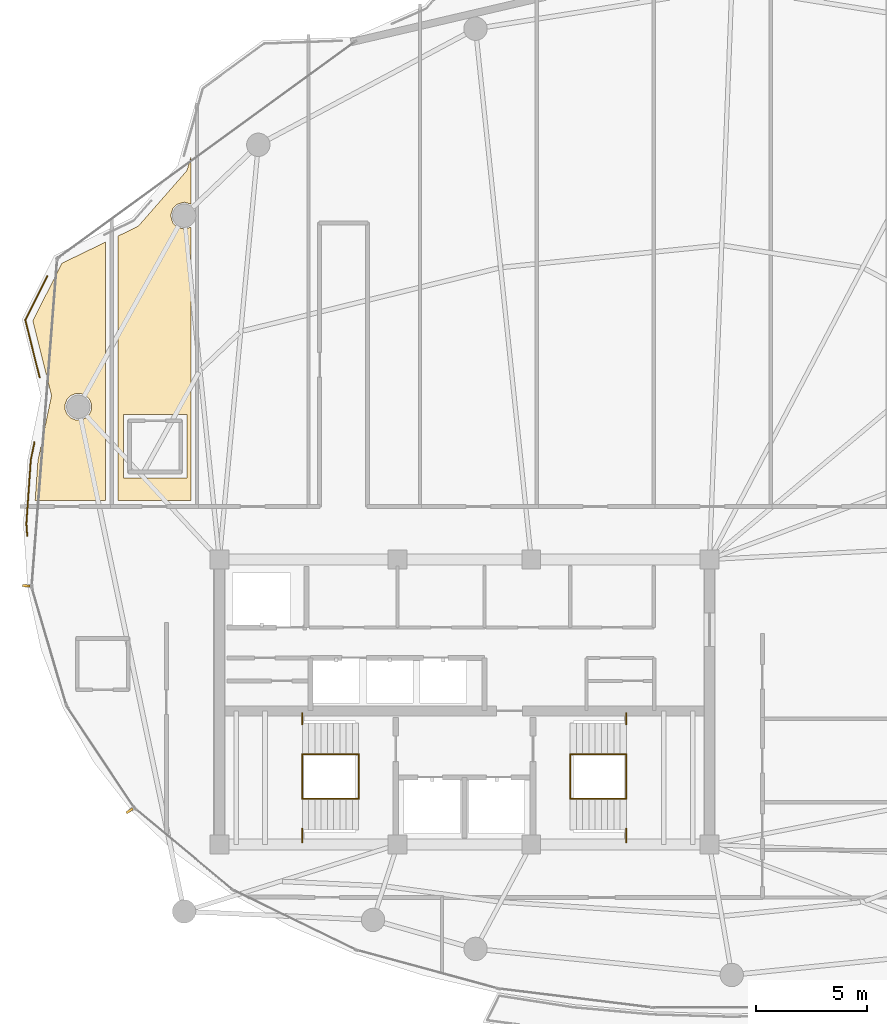
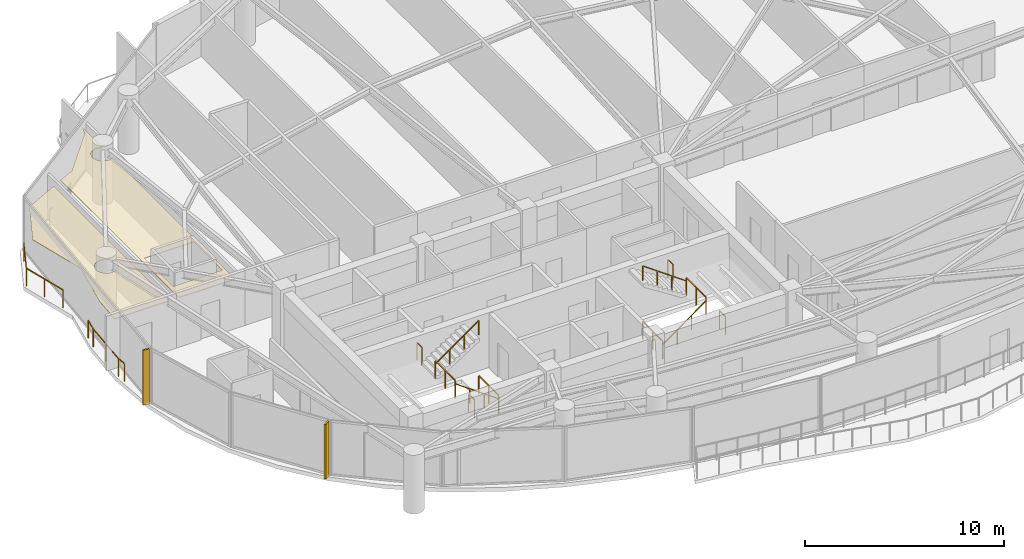
# One storey, part 29 of 31: 14 railings, 2 coverings, 2 shading devices.
"""IFC4 building model written with IfcOpenShell, lengths in metres."""

from ifc_helpers import new_model, si_unit, direction, frame, origin, origin_2d, place, context, subcontext, project, spatial, polyline, rectangle, outline, extrude, material, layer, layer_set, type_object, element, save


model = new_model("IFC4")

# Units and contexts
model_context = context("Model", 3, precision=1e-05, world=origin(), true_north=direction((0.0, 1.0)))
body_context = subcontext(model_context, "Body", "Model", "MODEL_VIEW")
ifc_project = project(units=[si_unit("LENGTHUNIT", "METRE"), si_unit("AREAUNIT", "SQUARE_METRE"), si_unit("VOLUMEUNIT", "CUBIC_METRE"), si_unit("PLANEANGLEUNIT", "RADIAN"), si_unit("MASSUNIT", "GRAM", prefix="KILO")], contexts=[model_context])

# Site, building, storey
site_placement = place(None, origin())
site = spatial("IfcSite", under=ifc_project, at=site_placement, CompositionType="ELEMENT")
building_placement = place(site_placement, origin())
building = spatial("IfcBuilding", under=site, at=building_placement, Name="Kazevale Care Tower and Concert Hall", CompositionType="ELEMENT")
storey_placement = place(building_placement, frame((0.0, 0.0, 202.800048828125)))
storey = spatial("IfcBuildingStorey", under=building, at=storey_placement, Name="L53", CompositionType="ELEMENT", Elevation=202.800048828125)

# Coverings
ifc_material_1 = material(Name="Acoustic Plaster and Hinoki Wood", Category="wood")
ifc_layer = layer(ifc_material_1, 0.0400390625)
ifc_layer_set = layer_set([ifc_layer], Name="Acoustic Plaster and Hinoki Wood")
covering_type = type_object("IfcCoveringType", Name="Acoustic Perforated Wood-Gypsum Ceiling", PredefinedType="CEILING", material=ifc_layer_set)
covering_1_placement = place(storey_placement, frame((0.0, 0.0, 2.7099609375)))
element("IfcCovering", 1, at=covering_1_placement, inside=storey, type_object=covering_type, Name="clg:L53:1", PredefinedType="CEILING", context=body_context, shape_type="SweptSolid", body=[
    extrude(outline(polyline([(13.632080078125, 47.111083984375), (14.93310546875, 49.694091796875), (16.889892578125, 50.64208984375), (16.889892578125, 39.054931640625), (13.73388671875, 39.054931640625), (13.85693359375, 40.824951171875), (14.468994140625, 43.75), (13.632080078125, 47.111083984375)]), holes=[polyline([(16.262939453125, 43.367919921875), (16.173095703125, 43.5859375), (16.006103515625, 43.7529296875), (15.7880859375, 43.843017578125), (15.552001953125, 43.843017578125), (15.333984375, 43.7529296875), (15.1669921875, 43.5859375), (15.076904296875, 43.367919921875), (15.076904296875, 43.132080078125), (15.1669921875, 42.9140625), (15.333984375, 42.7470703125), (15.552001953125, 42.656982421875), (15.7880859375, 42.656982421875), (16.006103515625, 42.7470703125), (16.173095703125, 42.9140625), (16.262939453125, 43.132080078125), (16.262939453125, 43.367919921875)])]), origin(), (0.0, 0.0, 1.0), 0.0400390625),
])
covering_2_placement = place(storey_placement, frame((0.0, 0.0, 2.7099609375)))
element("IfcCovering", 2, at=covering_2_placement, inside=storey, type_object=covering_type, Name="clg:L53:2", PredefinedType="CEILING", context=body_context, shape_type="SweptSolid", body=[
    extrude(outline(polyline([(17.449951171875, 39.054931640625), (17.449951171875, 50.9130859375), (18.35888671875, 51.35302734375), (20.552001953125, 53.861083984375), (20.719970703125, 54.4560546875), (20.719970703125, 52.35205078125), (20.419921875, 52.43505859375), (20.083984375, 52.3330078125), (19.9169921875, 52.166015625), (19.81494140625, 51.830078125), (19.9169921875, 51.493896484375), (20.083984375, 51.326904296875), (20.419921875, 51.22509765625), (20.719970703125, 51.30810546875), (20.719970703125, 39.054931640625), (17.449951171875, 39.054931640625)]), holes=[polyline([(17.68994140625, 42.905029296875), (17.68994140625, 40.044921875), (20.550048828125, 40.044921875), (20.550048828125, 42.905029296875), (17.68994140625, 42.905029296875)])]), origin(), (0.0, 0.0, 1.0), 0.0400390625),
])

# Railings
ifc_material_2 = material(Name="Anodised Bronze Aluminium and Laminated Glass", Category="aluminium")
railing_type_1 = type_object("IfcRailingType", Name="Balcony and Terrace Balustrade 1120", PredefinedType="BALUSTRADE", material=ifc_material_2)
railing_1_placement = place(storey_placement, frame((13.3779296875, 37.467041015625, 0.0)))
element("IfcRailing", 3, at=railing_1_placement, inside=storey, type_object=railing_type_1, Name="rail:L53:perim:1", PredefinedType="BALUSTRADE", context=body_context, shape_type="SweptSolid", body=[
    extrude(rectangle(XDim=0.048095703125, YDim=0.048095703125, at=origin_2d()), frame((0.0, 0.0, 1.09619140625), z_axis=(-0.070824900757, 0.997488763562, 0.0), x_axis=(-0.997488763562, -0.070824900757, 0.0)), (0.0, 0.0, 1.0), 0.5341796875),
    extrude(rectangle(XDim=0.048095703125, YDim=0.048095703125, at=origin_2d()), frame((-0.037841796875, 0.532958984375, 1.09619140625), z_axis=(0.069189590327, 0.997603528758, 0.0), x_axis=(-0.997603528758, 0.069189590327, 0.0)), (0.0, 0.0, 1.0), 2.875732421875),
    extrude(rectangle(XDim=0.048095703125, YDim=0.048095703125, at=origin_2d()), frame((0.1611328125, 3.40185546875, 1.09619140625), z_axis=(0.204489697566, 0.978868716218, 0.0), x_axis=(-0.978868716218, 0.204489697566, 0.0)), (0.0, 0.0, 1.0), 0.801025390625),
    extrude(rectangle(XDim=0.0419921875, YDim=0.0419921875, at=origin_2d()), origin(), (0.0, 0.0, 1.0), 1.072021484375),
    extrude(rectangle(XDim=0.0419921875, YDim=0.0419921875, at=origin_2d()), frame((-0.037841796875, 0.532958984375, 0.0)), (0.0, 0.0, 1.0), 1.072021484375),
    extrude(rectangle(XDim=0.0419921875, YDim=0.0419921875, at=origin_2d()), frame((0.0615234375, 1.96728515625, 0.0)), (0.0, 0.0, 1.0), 1.072021484375),
    extrude(rectangle(XDim=0.0419921875, YDim=0.0419921875, at=origin_2d()), frame((0.1611328125, 3.40185546875, 0.0)), (0.0, 0.0, 1.0), 1.072021484375),
    extrude(rectangle(XDim=0.0419921875, YDim=0.0419921875, at=origin_2d()), frame((0.324951171875, 4.18603515625, 0.0)), (0.0, 0.0, 1.0), 1.072021484375),
])
railing_2_placement = place(storey_placement, frame((13.930908203125, 44.5849609375, 0.0)))
element("IfcRailing", 4, at=railing_2_placement, inside=storey, type_object=railing_type_1, Name="rail:L53:perim:2", PredefinedType="BALUSTRADE", context=body_context, shape_type="SweptSolid", body=[
    extrude(rectangle(XDim=0.048095703125, YDim=0.048095703125, at=origin_2d()), frame((0.0, 0.0, 1.09619140625), z_axis=(-0.241796398664, 0.970327007556, 0.0), x_axis=(-0.970327007556, -0.241796398664, 0.0)), (0.0, 0.0, 1.0), 2.642333984375),
    extrude(rectangle(XDim=0.048095703125, YDim=0.048095703125, at=origin_2d()), frame((-0.638916015625, 2.56396484375, 1.09619140625), z_axis=(0.450269666924, 0.892892617871, 0.0), x_axis=(-0.892892617871, 0.450269666924, 0.0)), (0.0, 0.0, 1.0), 2.202880859375),
    extrude(rectangle(XDim=0.0419921875, YDim=0.0419921875, at=origin_2d()), origin(), (0.0, 0.0, 1.0), 1.072021484375),
    extrude(rectangle(XDim=0.0419921875, YDim=0.0419921875, at=origin_2d()), frame((-0.3193359375, 1.281982421875, 0.0)), (0.0, 0.0, 1.0), 1.072021484375),
    extrude(rectangle(XDim=0.0419921875, YDim=0.0419921875, at=origin_2d()), frame((-0.638916015625, 2.56396484375, 0.0)), (0.0, 0.0, 1.0), 1.072021484375),
    extrude(rectangle(XDim=0.0419921875, YDim=0.0419921875, at=origin_2d()), frame((0.35302734375, 4.531005859375, 0.0)), (0.0, 0.0, 1.0), 1.072021484375),
])
ifc_material_3 = material(Name="Stainless Steel 316", Category="steel")
railing_type_2 = type_object("IfcRailingType", Name="Stair Pitch Handrail 920", PredefinedType="HANDRAIL", material=ifc_material_3)
railing_3_placement = place(storey_placement, frame((28.25, 25.64990234375, 0.0)))
element("IfcRailing", 5, at=railing_3_placement, inside=storey, type_object=railing_type_2, Name="stair:L53:ST1:hr1", PredefinedType="HANDRAIL", context=body_context, shape_type="SweptSolid", body=[
    extrude(rectangle(XDim=0.048095703125, YDim=0.048095703125, at=origin_2d()), frame((0.0, 0.0, 0.89599609375), z_axis=(-0.813728144527, 0.0, 0.581245650998), x_axis=(0.0, -1.0, 0.0)), (0.0, 0.0, 1.0), 3.096923828125),
    extrude(rectangle(XDim=0.0419921875, YDim=0.0419921875, at=origin_2d()), origin(), (0.0, 0.0, 1.0), 0.871826171875),
    extrude(rectangle(XDim=0.0419921875, YDim=0.0419921875, at=origin_2d()), frame((-0.840087890625, 0.0, 0.60009765625)), (0.0, 0.0, 1.0), 0.871826171875),
    extrude(rectangle(XDim=0.0419921875, YDim=0.0419921875, at=origin_2d()), frame((-1.679931640625, 0.0, 1.199951171875)), (0.0, 0.0, 1.0), 0.871826171875),
    extrude(rectangle(XDim=0.0419921875, YDim=0.0419921875, at=origin_2d()), frame((-2.52001953125, 0.0, 1.800048828125)), (0.0, 0.0, 1.0), 0.871826171875),
])
railing_4_placement = place(storey_placement, frame((25.72998046875, 27.64990234375, 1.800048828125)))
element("IfcRailing", 6, at=railing_4_placement, inside=storey, type_object=railing_type_2, Name="stair:L53:ST1:hr2", PredefinedType="HANDRAIL", context=body_context, shape_type="SweptSolid", body=[
    extrude(rectangle(XDim=0.048095703125, YDim=0.048095703125, at=origin_2d()), frame((0.0, 0.0, 0.89599609375), z_axis=(0.813765431312, 0.0, 0.581193446971), x_axis=(0.0, 1.0, 0.0)), (0.0, 0.0, 1.0), 3.0966796875),
    extrude(rectangle(XDim=0.0419921875, YDim=0.0419921875, at=origin_2d()), origin(), (0.0, 0.0, 1.0), 0.871826171875),
    extrude(rectangle(XDim=0.0419921875, YDim=0.0419921875, at=origin_2d()), frame((0.840087890625, 0.0, 0.599853515625)), (0.0, 0.0, 1.0), 0.871826171875),
    extrude(rectangle(XDim=0.0419921875, YDim=0.0419921875, at=origin_2d()), frame((1.679931640625, 0.0, 1.199951171875)), (0.0, 0.0, 1.0), 0.871826171875),
    extrude(rectangle(XDim=0.0419921875, YDim=0.0419921875, at=origin_2d()), frame((2.52001953125, 0.0, 1.7998046875)), (0.0, 0.0, 1.0), 0.871826171875),
])
railing_5_placement = place(storey_placement, frame((37.75, 25.64990234375, 0.0)))
element("IfcRailing", 7, at=railing_5_placement, inside=storey, type_object=railing_type_2, Name="stair:L53:ST2:hr1", PredefinedType="HANDRAIL", context=body_context, shape_type="SweptSolid", body=[
    extrude(rectangle(XDim=0.048095703125, YDim=0.048095703125, at=origin_2d()), frame((0.0, 0.0, 0.89599609375), z_axis=(0.813728144527, 0.0, 0.581245650998), x_axis=(0.0, 1.0, 0.0)), (0.0, 0.0, 1.0), 3.096923828125),
    extrude(rectangle(XDim=0.0419921875, YDim=0.0419921875, at=origin_2d()), origin(), (0.0, 0.0, 1.0), 0.871826171875),
    extrude(rectangle(XDim=0.0419921875, YDim=0.0419921875, at=origin_2d()), frame((0.840087890625, 0.0, 0.60009765625)), (0.0, 0.0, 1.0), 0.871826171875),
    extrude(rectangle(XDim=0.0419921875, YDim=0.0419921875, at=origin_2d()), frame((1.679931640625, 0.0, 1.199951171875)), (0.0, 0.0, 1.0), 0.871826171875),
    extrude(rectangle(XDim=0.0419921875, YDim=0.0419921875, at=origin_2d()), frame((2.52001953125, 0.0, 1.800048828125)), (0.0, 0.0, 1.0), 0.871826171875),
])
railing_6_placement = place(storey_placement, frame((40.27001953125, 27.64990234375, 1.800048828125)))
element("IfcRailing", 8, at=railing_6_placement, inside=storey, type_object=railing_type_2, Name="stair:L53:ST2:hr2", PredefinedType="HANDRAIL", context=body_context, shape_type="SweptSolid", body=[
    extrude(rectangle(XDim=0.048095703125, YDim=0.048095703125, at=origin_2d()), frame((0.0, 0.0, 0.89599609375), z_axis=(-0.813765431312, 0.0, 0.581193446971), x_axis=(0.0, -1.0, 0.0)), (0.0, 0.0, 1.0), 3.0966796875),
    extrude(rectangle(XDim=0.0419921875, YDim=0.0419921875, at=origin_2d()), origin(), (0.0, 0.0, 1.0), 0.871826171875),
    extrude(rectangle(XDim=0.0419921875, YDim=0.0419921875, at=origin_2d()), frame((-0.840087890625, 0.0, 0.599853515625)), (0.0, 0.0, 1.0), 0.871826171875),
    extrude(rectangle(XDim=0.0419921875, YDim=0.0419921875, at=origin_2d()), frame((-1.679931640625, 0.0, 1.199951171875)), (0.0, 0.0, 1.0), 0.871826171875),
    extrude(rectangle(XDim=0.0419921875, YDim=0.0419921875, at=origin_2d()), frame((-2.52001953125, 0.0, 1.7998046875)), (0.0, 0.0, 1.0), 0.871826171875),
])
railing_type_3 = type_object("IfcRailingType", Name="Stair Well Guard Balustrade 1120", PredefinedType="BALUSTRADE", material=ifc_material_3)
railing_7_placement = place(storey_placement, frame((25.72998046875, 23.699951171875, 1.800048828125)))
element("IfcRailing", 9, at=railing_7_placement, inside=storey, type_object=railing_type_3, Name="stair:L53:ST1:grd_side1", PredefinedType="BALUSTRADE", context=body_context, shape_type="SweptSolid", body=[
    extrude(rectangle(XDim=0.048095703125, YDim=0.048095703125, at=origin_2d()), frame((0.0, 0.0, 1.09619140625), z_axis=(0.0, 1.0, 0.0), x_axis=(-1.0, 0.0, 0.0)), (0.0, 0.0, 1.0), 0.610107421875),
    extrude(rectangle(XDim=0.0419921875, YDim=0.0419921875, at=origin_2d()), origin(), (0.0, 0.0, 1.0), 1.072021484375),
    extrude(rectangle(XDim=0.0419921875, YDim=0.0419921875, at=origin_2d()), frame((0.0, 0.610107421875, 0.0)), (0.0, 0.0, 1.0), 1.072021484375),
])
railing_8_placement = place(storey_placement, frame((25.72998046875, 28.989990234375, 1.800048828125)))
element("IfcRailing", 10, at=railing_8_placement, inside=storey, type_object=railing_type_3, Name="stair:L53:ST1:grd_side2", PredefinedType="BALUSTRADE", context=body_context, shape_type="SweptSolid", body=[
    extrude(rectangle(XDim=0.048095703125, YDim=0.048095703125, at=origin_2d()), frame((0.0, 0.0, 1.09619140625), z_axis=(0.0, 1.0, 0.0), x_axis=(-1.0, 0.0, 0.0)), (0.0, 0.0, 1.0), 0.510009765625),
    extrude(rectangle(XDim=0.0419921875, YDim=0.0419921875, at=origin_2d()), origin(), (0.0, 0.0, 1.0), 1.072021484375),
    extrude(rectangle(XDim=0.0419921875, YDim=0.0419921875, at=origin_2d()), frame((0.0, 0.510009765625, 0.0)), (0.0, 0.0, 1.0), 1.072021484375),
])
for number, where, name in (
    (11, (25.72998046875, 25.64990234375, 1.800048828125), "stair:L53:ST1:grd_mid"),
    (12, (28.25, 25.64990234375, 0.0), "stair:L53:ST1:grd_flr"),
):
    element("IfcRailing", number, at=place(storey_placement, frame(where)), inside=storey, type_object=railing_type_3, Name=name, PredefinedType="BALUSTRADE", context=body_context, shape_type="SweptSolid", body=[
        extrude(rectangle(XDim=0.048095703125, YDim=0.048095703125, at=origin_2d()), frame((0.0, 0.0, 1.09619140625), z_axis=(0.0, 1.0, 0.0), x_axis=(-1.0, 0.0, 0.0)), (0.0, 0.0, 1.0), 2.0),
        extrude(rectangle(XDim=0.0419921875, YDim=0.0419921875, at=origin_2d()), origin(), (0.0, 0.0, 1.0), 1.072021484375),
        extrude(rectangle(XDim=0.0419921875, YDim=0.0419921875, at=origin_2d()), frame((0.0, 1.0, 0.0)), (0.0, 0.0, 1.0), 1.072021484375),
        extrude(rectangle(XDim=0.0419921875, YDim=0.0419921875, at=origin_2d()), frame((0.0, 2.0, 0.0)), (0.0, 0.0, 1.0), 1.072021484375),
    ])
railing_9_placement = place(storey_placement, frame((40.27001953125, 23.699951171875, 1.800048828125)))
element("IfcRailing", 13, at=railing_9_placement, inside=storey, type_object=railing_type_3, Name="stair:L53:ST2:grd_side1", PredefinedType="BALUSTRADE", context=body_context, shape_type="SweptSolid", body=[
    extrude(rectangle(XDim=0.048095703125, YDim=0.048095703125, at=origin_2d()), frame((0.0, 0.0, 1.09619140625), z_axis=(0.0, 1.0, 0.0), x_axis=(-1.0, 0.0, 0.0)), (0.0, 0.0, 1.0), 0.610107421875),
    extrude(rectangle(XDim=0.0419921875, YDim=0.0419921875, at=origin_2d()), origin(), (0.0, 0.0, 1.0), 1.072021484375),
    extrude(rectangle(XDim=0.0419921875, YDim=0.0419921875, at=origin_2d()), frame((0.0, 0.610107421875, 0.0)), (0.0, 0.0, 1.0), 1.072021484375),
])
railing_10_placement = place(storey_placement, frame((40.27001953125, 28.989990234375, 1.800048828125)))
element("IfcRailing", 14, at=railing_10_placement, inside=storey, type_object=railing_type_3, Name="stair:L53:ST2:grd_side2", PredefinedType="BALUSTRADE", context=body_context, shape_type="SweptSolid", body=[
    extrude(rectangle(XDim=0.048095703125, YDim=0.048095703125, at=origin_2d()), frame((0.0, 0.0, 1.09619140625), z_axis=(0.0, 1.0, 0.0), x_axis=(-1.0, 0.0, 0.0)), (0.0, 0.0, 1.0), 0.510009765625),
    extrude(rectangle(XDim=0.0419921875, YDim=0.0419921875, at=origin_2d()), origin(), (0.0, 0.0, 1.0), 1.072021484375),
    extrude(rectangle(XDim=0.0419921875, YDim=0.0419921875, at=origin_2d()), frame((0.0, 0.510009765625, 0.0)), (0.0, 0.0, 1.0), 1.072021484375),
])
for number, where, name in (
    (15, (40.27001953125, 25.64990234375, 1.800048828125), "stair:L53:ST2:grd_mid"),
    (16, (37.75, 25.64990234375, 0.0), "stair:L53:ST2:grd_flr"),
):
    element("IfcRailing", number, at=place(storey_placement, frame(where)), inside=storey, type_object=railing_type_3, Name=name, PredefinedType="BALUSTRADE", context=body_context, shape_type="SweptSolid", body=[
        extrude(rectangle(XDim=0.048095703125, YDim=0.048095703125, at=origin_2d()), frame((0.0, 0.0, 1.09619140625), z_axis=(0.0, 1.0, 0.0), x_axis=(-1.0, 0.0, 0.0)), (0.0, 0.0, 1.0), 2.0),
        extrude(rectangle(XDim=0.0419921875, YDim=0.0419921875, at=origin_2d()), origin(), (0.0, 0.0, 1.0), 1.072021484375),
        extrude(rectangle(XDim=0.0419921875, YDim=0.0419921875, at=origin_2d()), frame((0.0, 1.0, 0.0)), (0.0, 0.0, 1.0), 1.072021484375),
        extrude(rectangle(XDim=0.0419921875, YDim=0.0419921875, at=origin_2d()), frame((0.0, 2.0, 0.0)), (0.0, 0.0, 1.0), 1.072021484375),
    ])

# Shading devices
ifc_material_4 = material(Name="Anodised Bronze Aluminium", Category="aluminium")
shading_device_type = type_object("IfcShadingDeviceType", Name="Waist Anodised Bronze-Stone Fin FIN-02", PredefinedType="USERDEFINED", material=ifc_material_4)
for number, where, z_axis, x_axis, name in (
    (17, (17.972900390625, 25.121337890625, 0.0), (0.0, 0.0, 1.0), (-0.832147748683, -0.554553986878, 0.0), "cw:L53:f11:fin"),
    (18, (13.326904296875, 35.216796875, 0.0), (0.0, 0.0, 1.0), (-0.996985422604, 0.077589091471, 0.0), "cw:L53:f13:fin"),
):
    element("IfcShadingDevice", number, at=place(storey_placement, frame(where, z_axis=z_axis, x_axis=x_axis)), inside=storey, type_object=shading_device_type, Name=name, ObjectType="FIN", PredefinedType="USERDEFINED", context=body_context, shape_type="SweptSolid", body=[
        extrude(rectangle(XDim=0.340087890625, YDim=0.10009765625, at=origin_2d()), origin(), (0.0, 0.0, 1.0), 3.360107421875),
    ])

save(model, "model.ifc")
